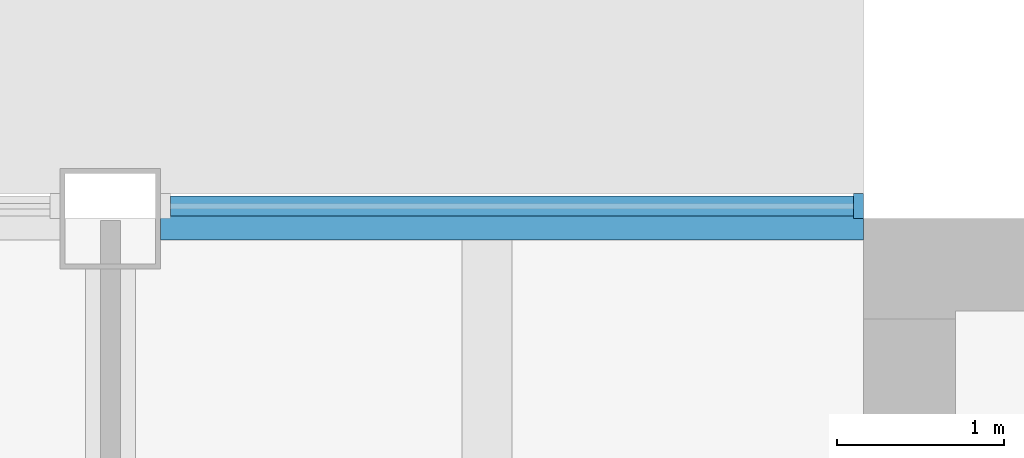
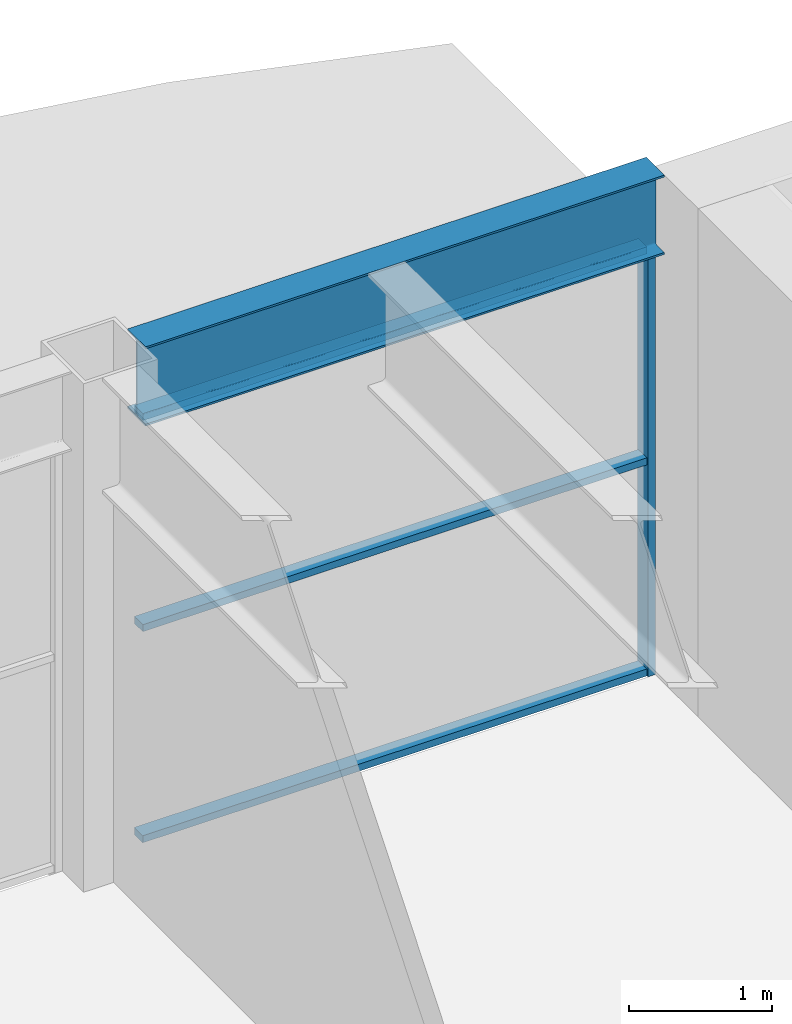
# One storey, part 6 of 14: 4 members, 1 beam, 1 element without a shape of its own.
"""IFC4 building model written with IfcOpenShell, lengths in metres."""

from ifc_helpers import new_model, si_unit, direction, frame, origin, origin_2d, place, context, subcontext, project, spatial, rectangle, i_section, extrude, material, material_profile, profile_set, type_object, element, aggregate, save


model = new_model("IFC4")

# Units and contexts
model_context = context("Model", 3, precision=1e-05, world=origin(), true_north=direction((0.0, 1.0)))
body_context = subcontext(model_context, "Body", "Model", "MODEL_VIEW")
ifc_project = project(units=[si_unit("LENGTHUNIT", "METRE"), si_unit("AREAUNIT", "SQUARE_METRE"), si_unit("VOLUMEUNIT", "CUBIC_METRE"), si_unit("PLANEANGLEUNIT", "RADIAN"), si_unit("MASSUNIT", "GRAM", prefix="KILO")], contexts=[model_context])

# Site, building, storey
site_placement = place(None, origin())
site = spatial("IfcSite", under=ifc_project, at=site_placement, CompositionType="ELEMENT")
building_placement = place(site_placement, origin())
building = spatial("IfcBuilding", under=site, at=building_placement, Name="Sennacour Bend Tower", CompositionType="ELEMENT")
storey_placement = place(building_placement, frame((0.0, 0.0, 327.5)))
storey = spatial("IfcBuildingStorey", under=building, at=storey_placement, Name="L75", CompositionType="ELEMENT", Elevation=327.5)

# Curtain wall, members
ifc_material_1 = material(Name="Bronze anodised aluminium curtain wall with clear glass", Category="aluminium")
curtain_wall_type = type_object("IfcCurtainWallType", Name="CURTAIN WALL EXEC", PredefinedType="NOTDEFINED", material=ifc_material_1)
curtain_wall_placement = place(storey_placement, origin())
curtain_wall = element("IfcCurtainWall", 1, at=curtain_wall_placement, inside=storey, type_object=curtain_wall_type, Name="Executive floor glass wall L75", PredefinedType="NOTDEFINED")
ifc_material_2 = material(Name="Aluminium 6063-T6", Category="aluminium")
ifc_material_profile_1 = material_profile(ifc_material_2, rectangle(XDim=0.14990234375, YDim=0.06005859375, at=origin_2d()), Name="Aluminium 6063-T6", Category="aluminium")
ifc_profile_set_1 = profile_set([ifc_material_profile_1], Name="Aluminium 6063-T6")
member_type_1 = type_object("IfcMemberType", Name="CW-MULLION-150X60", PredefinedType="MULLION", material=ifc_profile_set_1)
member_1_placement = place(storey_placement, frame((53.969970703125, 22.574951171875, 0.0), z_axis=(0.0, 0.0, 1.0), x_axis=(0.0, -1.0, 0.0)))
member_1 = element("IfcMember", 2, at=member_1_placement, type_object=member_type_1, Name="GW3 curtain wall mullion 1", PredefinedType="MULLION", context=body_context, shape_type="SweptSolid", body=[
    extrude(rectangle(XDim=0.14990234375, YDim=0.06005859375, at=origin_2d()), origin(), (0.0, 0.0, 1.0), 3.672119140625),
])
ifc_material_profile_2 = material_profile(ifc_material_2, rectangle(XDim=0.1201171875, YDim=0.06005859375, at=origin_2d()), Name="Aluminium 6063-T6", Category="aluminium")
ifc_profile_set_2 = profile_set([ifc_material_profile_2], Name="Aluminium 6063-T6")
member_type_2 = type_object("IfcMemberType", Name="CW-TRANSOM-120X60", PredefinedType="USERDEFINED", material=ifc_profile_set_2)
member_2_placement = place(storey_placement, frame((53.93994140625, 22.574951171875, 0.030029296875), z_axis=(-1.0, 0.0, 0.0), x_axis=(0.0, -1.0, 0.0)))
member_2 = element("IfcMember", 3, at=member_2_placement, type_object=member_type_2, Name="GW3 curtain wall transom 1.1", ObjectType="TRANSOM", PredefinedType="USERDEFINED", context=body_context, shape_type="SweptSolid", body=[
    extrude(rectangle(XDim=0.1201171875, YDim=0.06005859375, at=origin_2d()), origin(), (0.0, 0.0, 1.0), 4.079833984375),
])
member_3_placement = place(storey_placement, frame((53.93994140625, 22.574951171875, 1.8359375), z_axis=(-1.0, 0.0, 0.0), x_axis=(0.0, -1.0, 0.0)))
member_3 = element("IfcMember", 4, at=member_3_placement, type_object=member_type_2, Name="GW3 curtain wall transom 1.2", ObjectType="TRANSOM", PredefinedType="USERDEFINED", context=body_context, shape_type="SweptSolid", body=[
    extrude(rectangle(XDim=0.1201171875, YDim=0.06005859375, at=origin_2d()), origin(), (0.0, 0.0, 1.0), 4.079833984375),
])
member_4_placement = place(storey_placement, frame((53.93994140625, 22.574951171875, 3.64208984375), z_axis=(-1.0, 0.0, 0.0), x_axis=(0.0, -1.0, 0.0)))
member_4 = element("IfcMember", 5, at=member_4_placement, type_object=member_type_2, Name="GW3 curtain wall transom 1.3", ObjectType="TRANSOM", PredefinedType="USERDEFINED", context=body_context, shape_type="SweptSolid", body=[
    extrude(rectangle(XDim=0.1201171875, YDim=0.06005859375, at=origin_2d()), origin(), (0.0, 0.0, 1.0), 4.079833984375),
])
aggregate(curtain_wall, [member_1, member_2, member_3, member_4])

# Beam
ifc_material_3 = material(Name="Steel ASTM A992 Grade 50", Category="steel")
ifc_material_profile_3 = material_profile(ifc_material_3, i_section(OverallWidth=0.25390625, OverallDepth=0.677978515625, WebThickness=0.01171875, FlangeThickness=0.016357421875, FilletRadius=0.01513671875, at=origin_2d()), Name="Steel ASTM A992 Grade 50", Category="steel")
ifc_profile_set_3 = profile_set([ifc_material_profile_3], Name="Steel ASTM A992 Grade 50")
beam_type = type_object("IfcBeamType", Name="Spandrel beam W690X125", PredefinedType="SPANDREL", material=ifc_profile_set_3)
beam_placement = place(storey_placement, frame((49.800048828125, 22.5, 4.010986328125), z_axis=(1.0, 0.0, 0.0), x_axis=(0.0, 1.0, 0.0)))
element("IfcBeam", 6, at=beam_placement, inside=storey, type_object=beam_type, Name="Spandrel beam SP7 L76-017", PredefinedType="SPANDREL", context=body_context, shape_type="SweptSolid", body=[
    extrude(i_section(OverallWidth=0.25390625, OverallDepth=0.677978515625, WebThickness=0.01171875, FlangeThickness=0.016357421875, FilletRadius=0.01513671875, at=origin_2d()), origin(), (0.0, 0.0, 1.0), 4.199951171875),
])

save(model, "model.ifc")
